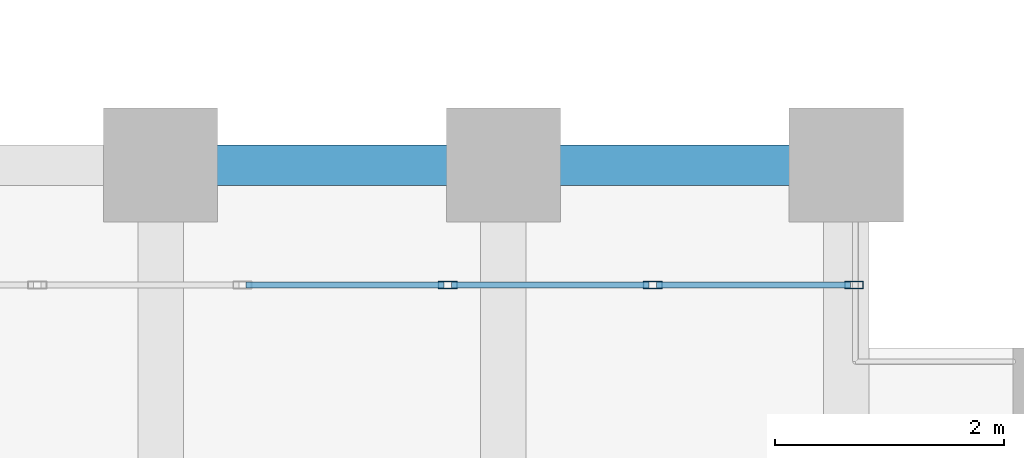
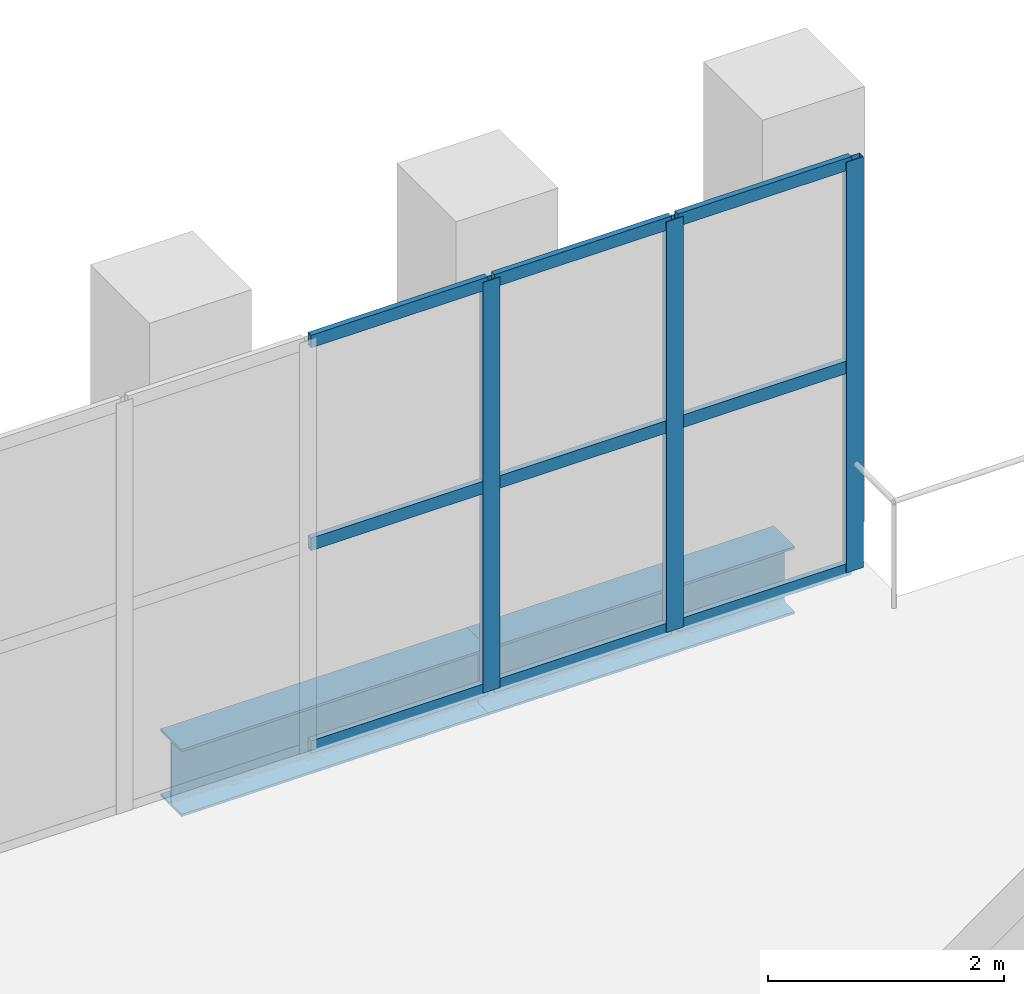
# One storey, part 18 of 27: 12 members, 2 beams, 1 element without a shape of its own.
"""IFC4 building model written with IfcOpenShell, lengths in metres."""

from ifc_helpers import new_model, si_unit, direction, frame, origin, origin_2d, place, context, subcontext, project, spatial, hollow_rectangle, i_section, extrude, material, layer, layer_set, material_profile, profile_set, type_object, element, aggregate, save


model = new_model("IFC4")

# Units and contexts
model_context = context("Model", 3, precision=1e-05, world=origin(), true_north=direction((0.0, 1.0)))
body_context = subcontext(model_context, "Body", "Model", "MODEL_VIEW")
ifc_project = project(units=[si_unit("LENGTHUNIT", "METRE"), si_unit("AREAUNIT", "SQUARE_METRE"), si_unit("VOLUMEUNIT", "CUBIC_METRE"), si_unit("PLANEANGLEUNIT", "RADIAN"), si_unit("MASSUNIT", "GRAM", prefix="KILO")], contexts=[model_context])

# Site, building, storey
site_placement = place(None, origin())
site = spatial("IfcSite", under=ifc_project, at=site_placement, CompositionType="ELEMENT")
building_placement = place(site_placement, origin())
building = spatial("IfcBuilding", under=site, at=building_placement, Name="Mawjdan Bourse Tower", CompositionType="ELEMENT")
storey_placement = place(building_placement, frame((0.0, 0.0, 155.699951171875)))
storey = spatial("IfcBuildingStorey", under=building, at=storey_placement, Name="L37", CompositionType="ELEMENT", Elevation=155.699951171875)

# Curtain wall, members
ifc_material_1 = material(Name="Thermally Broken Aluminium and Solar Glass", Category="aluminium")
ifc_layer = layer(ifc_material_1, 0.219970703125)
ifc_layer_set = layer_set([ifc_layer], Name="Thermally Broken Aluminium and Solar Glass")
curtain_wall_type = type_object("IfcCurtainWallType", Name="CW-RFG", PredefinedType="USERDEFINED", material=ifc_layer_set)
curtain_wall_placement = place(storey_placement, origin())
curtain_wall = element("IfcCurtainWall", 1, at=curtain_wall_placement, inside=storey, type_object=curtain_wall_type, Name="L37 Refuge Band North Louvre Curtain Wall", ObjectType="REFUGE BAND LOUVRE SCREEN", PredefinedType="USERDEFINED")
ifc_material_2 = material(Name="Thermally Broken Anodised Aluminium", Category="aluminium")
ifc_material_profile_1 = material_profile(ifc_material_2, hollow_rectangle(XDim=0.06494140625, YDim=0.1650390625, WallThickness=0.00390625, at=origin_2d()), Name="ALU-MUL-165X65")
ifc_profile_set_1 = profile_set([ifc_material_profile_1], Name="Thermally Broken Anodised Aluminium")
member_type_1 = type_object("IfcMemberType", Name="MUL-ALU-MUL-165X65", PredefinedType="MULLION", material=ifc_profile_set_1)
member_1_placement = place(storey_placement, frame((57.0673828125, 19.949951171875, 0.0), z_axis=(0.0, 0.0, 1.0), x_axis=(0.0, -1.0, 0.0)))
member_1 = element("IfcMember", 2, at=member_1_placement, type_object=member_type_1, Name="CW-RFG-L37-RFG-N mullion 1", PredefinedType="MULLION", context=body_context, shape_type="SweptSolid", body=[
    extrude(hollow_rectangle(XDim=0.06494140625, YDim=0.1650390625, WallThickness=0.00390625, at=origin_2d()), origin(), (0.0, 0.0, 1.0), 4.25),
])
member_2_placement = place(storey_placement, frame((55.3056640625, 19.949951171875, 0.0), z_axis=(0.0, 0.0, 1.0), x_axis=(0.0, -1.0, 0.0)))
member_2 = element("IfcMember", 3, at=member_2_placement, type_object=member_type_1, Name="CW-RFG-L37-RFG-N mullion 2", PredefinedType="MULLION", context=body_context, shape_type="SweptSolid", body=[
    extrude(hollow_rectangle(XDim=0.06494140625, YDim=0.1650390625, WallThickness=0.00390625, at=origin_2d()), origin(), (0.0, 0.0, 1.0), 4.25),
])
member_3_placement = place(storey_placement, frame((53.51123046875, 19.949951171875, 0.0), z_axis=(0.0, 0.0, 1.0), x_axis=(0.0, -1.0, 0.0)))
member_3 = element("IfcMember", 4, at=member_3_placement, type_object=member_type_1, Name="CW-RFG-L37-RFG-N mullion 3", PredefinedType="MULLION", context=body_context, shape_type="SweptSolid", body=[
    extrude(hollow_rectangle(XDim=0.06494140625, YDim=0.1650390625, WallThickness=0.00390625, at=origin_2d()), origin(), (0.0, 0.0, 1.0), 4.25),
])

# Beams
ifc_material_3 = material(Name="Structural Steel S355", Category="steel")
ifc_material_profile_2 = material_profile(ifc_material_3, i_section(OverallWidth=0.35498046875, OverallDepth=0.696044921875, WebThickness=0.015380859375, FlangeThickness=0.02490234375, FilletRadius=0.019775390625, at=origin_2d()), Name="W27X146")
ifc_profile_set_2 = profile_set([ifc_material_profile_2], Name="Structural Steel S355")
beam_type = type_object("IfcBeamType", Name="SPN-W27X146", PredefinedType="SPANDREL", material=ifc_profile_set_2)
for number, where, z_axis, x_axis, name in (
    (5, (51.0, 21.0, -0.6279296875), (1.0, 0.0, 0.0), (0.0, 1.0, 0.0), "L37 Perimeter Masonry-Shelf Spandrel 018"),
    (6, (54.0, 21.0, -0.6279296875), (1.0, 0.0, 0.0), (0.0, 1.0, 0.0), "L37 Perimeter Masonry-Shelf Spandrel 019"),
):
    element("IfcBeam", number, at=place(storey_placement, frame(where, z_axis=z_axis, x_axis=x_axis)), inside=storey, type_object=beam_type, Name=name, PredefinedType="SPANDREL", context=body_context, shape_type="SweptSolid", body=[
        extrude(i_section(OverallWidth=0.35498046875, OverallDepth=0.696044921875, WebThickness=0.015380859375, FlangeThickness=0.02490234375, FilletRadius=0.019775390625, at=origin_2d()), origin(), (0.0, 0.0, 1.0), 3.0),
    ])

# Member
ifc_material_profile_3 = material_profile(ifc_material_2, hollow_rectangle(XDim=0.054931640625, YDim=0.1298828125, WallThickness=0.00341796875, at=origin_2d()), Name="ALU-TRN-130X55")
ifc_profile_set_3 = profile_set([ifc_material_profile_3], Name="Thermally Broken Anodised Aluminium")
member_type_2 = type_object("IfcMemberType", Name="TRN-ALU-TRN-130X55", PredefinedType="USERDEFINED", material=ifc_profile_set_3)
member_4_placement = place(storey_placement, frame((57.034912109375, 19.949951171875, 0.027587890625), z_axis=(-1.0, 0.0, 0.0), x_axis=(0.0, -1.0, 0.0)))
member_4 = element("IfcMember", 7, at=member_4_placement, type_object=member_type_2, Name="CW-RFG-L37-RFG-N transom 1.1", ObjectType="TRANSOM", PredefinedType="USERDEFINED", context=body_context, shape_type="SweptSolid", body=[
    extrude(hollow_rectangle(XDim=0.054931640625, YDim=0.1298828125, WallThickness=0.00341796875, at=origin_2d()), origin(), (0.0, 0.0, 1.0), 1.69677734375),
])

member_5_placement = place(storey_placement, frame((57.034912109375, 19.949951171875, 2.125), z_axis=(-1.0, 0.0, 0.0), x_axis=(0.0, -1.0, 0.0)))
member_5 = element("IfcMember", 8, at=member_5_placement, type_object=member_type_2, Name="CW-RFG-L37-RFG-N transom 1.2", ObjectType="TRANSOM", PredefinedType="USERDEFINED", context=body_context, shape_type="SweptSolid", body=[
    extrude(hollow_rectangle(XDim=0.054931640625, YDim=0.1298828125, WallThickness=0.00341796875, at=origin_2d()), origin(), (0.0, 0.0, 1.0), 1.69677734375),
])

member_6_placement = place(storey_placement, frame((57.034912109375, 19.949951171875, 4.22265625), z_axis=(-1.0, 0.0, 0.0), x_axis=(0.0, -1.0, 0.0)))
member_6 = element("IfcMember", 9, at=member_6_placement, type_object=member_type_2, Name="CW-RFG-L37-RFG-N transom 1.3", ObjectType="TRANSOM", PredefinedType="USERDEFINED", context=body_context, shape_type="SweptSolid", body=[
    extrude(hollow_rectangle(XDim=0.054931640625, YDim=0.1298828125, WallThickness=0.00341796875, at=origin_2d()), origin(), (0.0, 0.0, 1.0), 1.69677734375),
])

member_7_placement = place(storey_placement, frame((55.27294921875, 19.949951171875, 0.027587890625), z_axis=(-1.0, 0.0, 0.0), x_axis=(0.0, -1.0, 0.0)))
member_7 = element("IfcMember", 10, at=member_7_placement, type_object=member_type_2, Name="CW-RFG-L37-RFG-N transom 2.1", ObjectType="TRANSOM", PredefinedType="USERDEFINED", context=body_context, shape_type="SweptSolid", body=[
    extrude(hollow_rectangle(XDim=0.054931640625, YDim=0.1298828125, WallThickness=0.00341796875, at=origin_2d()), origin(), (0.0, 0.0, 1.0), 1.729248046875),
])

member_8_placement = place(storey_placement, frame((55.27294921875, 19.949951171875, 2.125), z_axis=(-1.0, 0.0, 0.0), x_axis=(0.0, -1.0, 0.0)))
member_8 = element("IfcMember", 11, at=member_8_placement, type_object=member_type_2, Name="CW-RFG-L37-RFG-N transom 2.2", ObjectType="TRANSOM", PredefinedType="USERDEFINED", context=body_context, shape_type="SweptSolid", body=[
    extrude(hollow_rectangle(XDim=0.054931640625, YDim=0.1298828125, WallThickness=0.00341796875, at=origin_2d()), origin(), (0.0, 0.0, 1.0), 1.729248046875),
])

member_9_placement = place(storey_placement, frame((55.27294921875, 19.949951171875, 4.22265625), z_axis=(-1.0, 0.0, 0.0), x_axis=(0.0, -1.0, 0.0)))
member_9 = element("IfcMember", 12, at=member_9_placement, type_object=member_type_2, Name="CW-RFG-L37-RFG-N transom 2.3", ObjectType="TRANSOM", PredefinedType="USERDEFINED", context=body_context, shape_type="SweptSolid", body=[
    extrude(hollow_rectangle(XDim=0.054931640625, YDim=0.1298828125, WallThickness=0.00341796875, at=origin_2d()), origin(), (0.0, 0.0, 1.0), 1.729248046875),
])

member_10_placement = place(storey_placement, frame((53.478515625, 19.949951171875, 0.027587890625), z_axis=(-1.0, 0.0, 0.0), x_axis=(0.0, -1.0, 0.0)))
member_10 = element("IfcMember", 13, at=member_10_placement, type_object=member_type_2, Name="CW-RFG-L37-RFG-N transom 3.1", ObjectType="TRANSOM", PredefinedType="USERDEFINED", context=body_context, shape_type="SweptSolid", body=[
    extrude(hollow_rectangle(XDim=0.054931640625, YDim=0.1298828125, WallThickness=0.00341796875, at=origin_2d()), origin(), (0.0, 0.0, 1.0), 1.729248046875),
])

member_11_placement = place(storey_placement, frame((53.478515625, 19.949951171875, 2.125), z_axis=(-1.0, 0.0, 0.0), x_axis=(0.0, -1.0, 0.0)))
member_11 = element("IfcMember", 14, at=member_11_placement, type_object=member_type_2, Name="CW-RFG-L37-RFG-N transom 3.2", ObjectType="TRANSOM", PredefinedType="USERDEFINED", context=body_context, shape_type="SweptSolid", body=[
    extrude(hollow_rectangle(XDim=0.054931640625, YDim=0.1298828125, WallThickness=0.00341796875, at=origin_2d()), origin(), (0.0, 0.0, 1.0), 1.729248046875),
])

member_12_placement = place(storey_placement, frame((53.478515625, 19.949951171875, 4.22265625), z_axis=(-1.0, 0.0, 0.0), x_axis=(0.0, -1.0, 0.0)))
member_12 = element("IfcMember", 15, at=member_12_placement, type_object=member_type_2, Name="CW-RFG-L37-RFG-N transom 3.3", ObjectType="TRANSOM", PredefinedType="USERDEFINED", context=body_context, shape_type="SweptSolid", body=[
    extrude(hollow_rectangle(XDim=0.054931640625, YDim=0.1298828125, WallThickness=0.00341796875, at=origin_2d()), origin(), (0.0, 0.0, 1.0), 1.729248046875),
])

aggregate(curtain_wall, [member_1, member_2, member_3, member_4, member_5, member_6, member_7, member_8, member_9, member_10, member_11, member_12])

save(model, "model.ifc")
